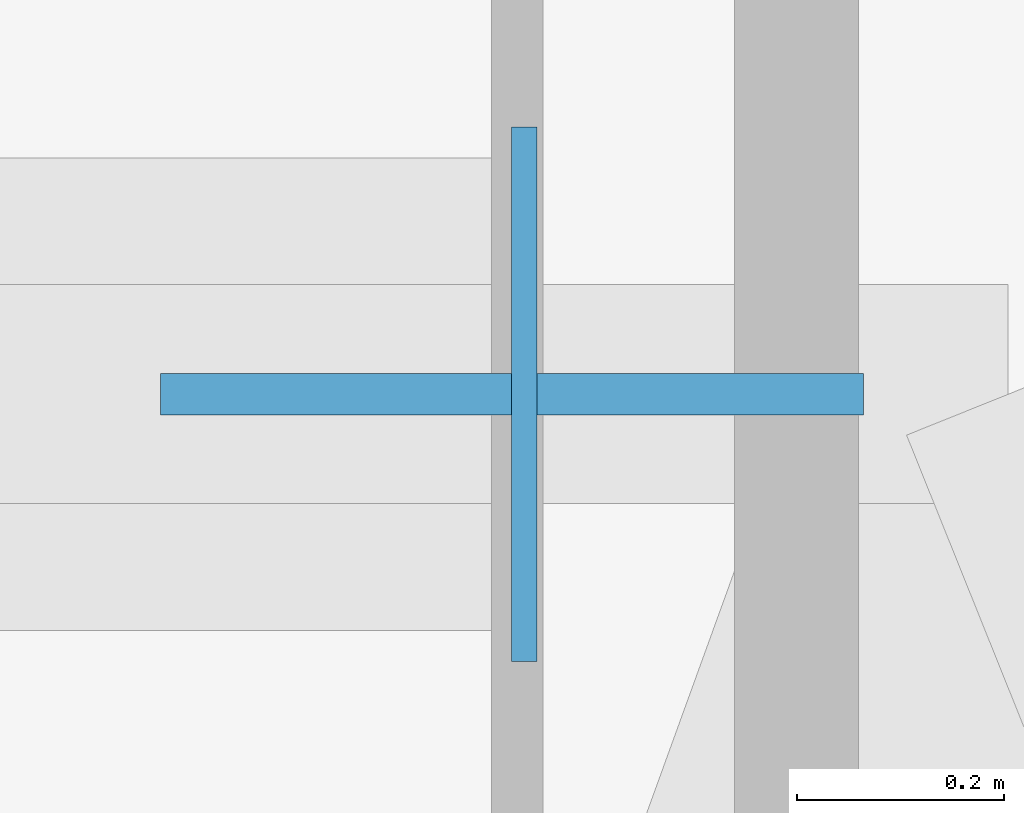
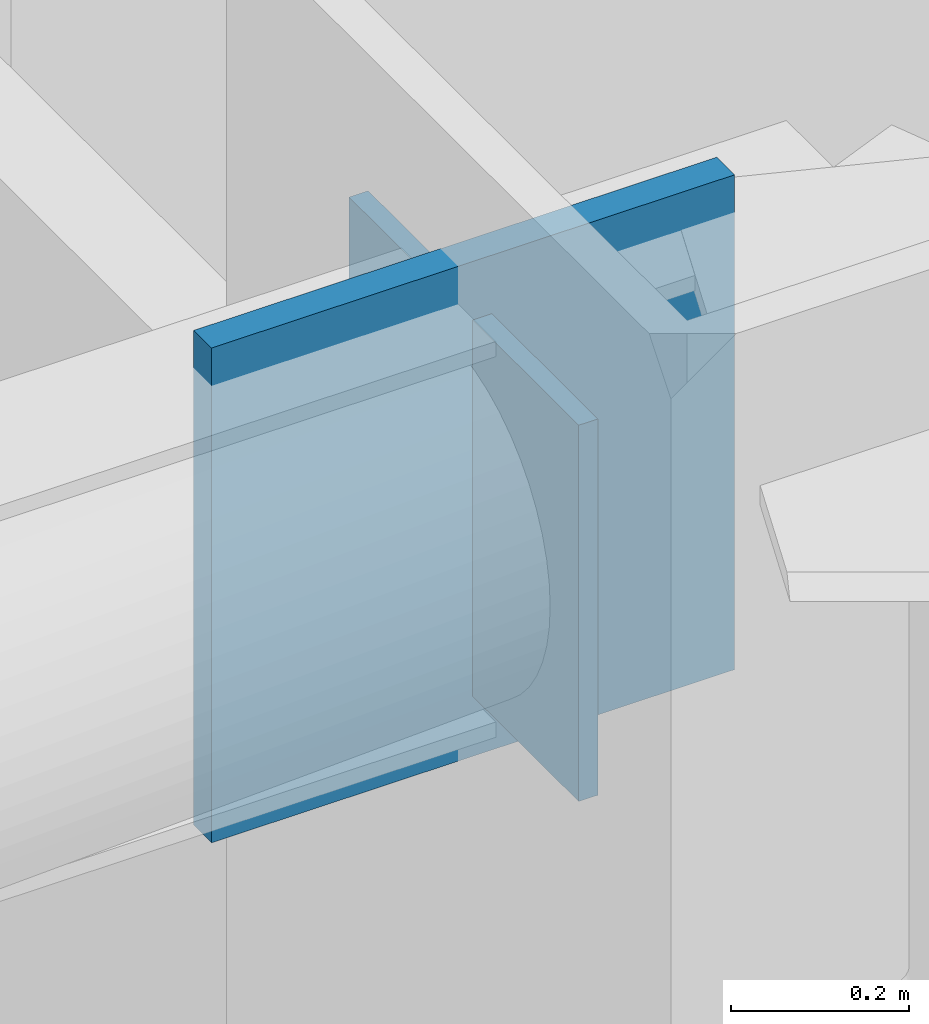
# One storey, part 6 of 15: 2 plates.
"""IFC4 building model written with IfcOpenShell, lengths in metres."""

from ifc_helpers import new_model, si_unit, direction, frame, origin, origin_2d, place, context, subcontext, project, spatial, rectangle, extrude, material, layer, layer_set, type_object, element, save


model = new_model("IFC4")

# Units and contexts
model_context = context("Model", 3, precision=1e-05, world=origin(), true_north=direction((0.0, 1.0)))
body_context = subcontext(model_context, "Body", "Model", "MODEL_VIEW")
ifc_project = project(units=[si_unit("LENGTHUNIT", "METRE"), si_unit("AREAUNIT", "SQUARE_METRE"), si_unit("VOLUMEUNIT", "CUBIC_METRE"), si_unit("PLANEANGLEUNIT", "RADIAN"), si_unit("MASSUNIT", "GRAM", prefix="KILO")], contexts=[model_context])

# Site, building, storey
site_placement = place(None, origin())
site = spatial("IfcSite", under=ifc_project, at=site_placement, CompositionType="ELEMENT")
building_placement = place(site_placement, origin())
building = spatial("IfcBuilding", under=site, at=building_placement, Name="Khamvora Tower", CompositionType="ELEMENT")
storey_placement = place(building_placement, frame((0.0, 0.0, 112.85009765625)))
storey = spatial("IfcBuildingStorey", under=building, at=storey_placement, Name="L28", CompositionType="ELEMENT", Elevation=112.85009765625)

# Plates
ifc_material_1 = material(Name="Steel S355", Category="steel")
ifc_layer_1 = layer(ifc_material_1, 0.02490234375)
ifc_layer_set_1 = layer_set([ifc_layer_1], Name="Steel S355")
plate_type_1 = type_object("IfcPlateType", Name="PL-CAP-25", PredefinedType="SHEET", material=ifc_layer_set_1)
plate_1_placement = place(storey_placement, frame((49.48193359375, 47.300048828125, 2.88330078125), z_axis=(0.0, 0.0, 1.0), x_axis=(1.0, 0.0, 0.0)))
element("IfcPlate", 1, at=plate_1_placement, inside=storey, type_object=plate_type_1, Name="L28 hollow section steel end cap plate 0759", PredefinedType="SHEET", context=body_context, shape_type="SweptSolid", body=[
    extrude(rectangle(XDim=0.02490234375, YDim=0.51708984375, at=origin_2d()), origin(), (0.0, 0.0, 1.0), 0.51708984375),
])
ifc_material_2 = material(Name="Steel S460", Category="steel")
ifc_layer_2 = layer(ifc_material_2, 0.0400390625)
ifc_layer_set_2 = layer_set([ifc_layer_2], Name="Steel S460")
plate_type_2 = type_object("IfcPlateType", Name="PLT-GUS-40", PredefinedType="SHEET", material=ifc_layer_set_2)
plate_2_placement = place(storey_placement, frame((49.469970703125, 47.300048828125, 2.80078125), z_axis=(0.0, 0.0, 1.0), x_axis=(1.0, 0.0, 0.0)))
element("IfcPlate", 2, at=plate_2_placement, inside=storey, type_object=plate_type_2, Name="L28 brace connection node gusset plate 0192", PredefinedType="SHEET", context=body_context, shape_type="SweptSolid", body=[
    extrude(rectangle(XDim=0.679931640625, YDim=0.0400390625, at=origin_2d()), origin(), (0.0, 0.0, 1.0), 0.679931640625),
])

save(model, "model.ifc")
